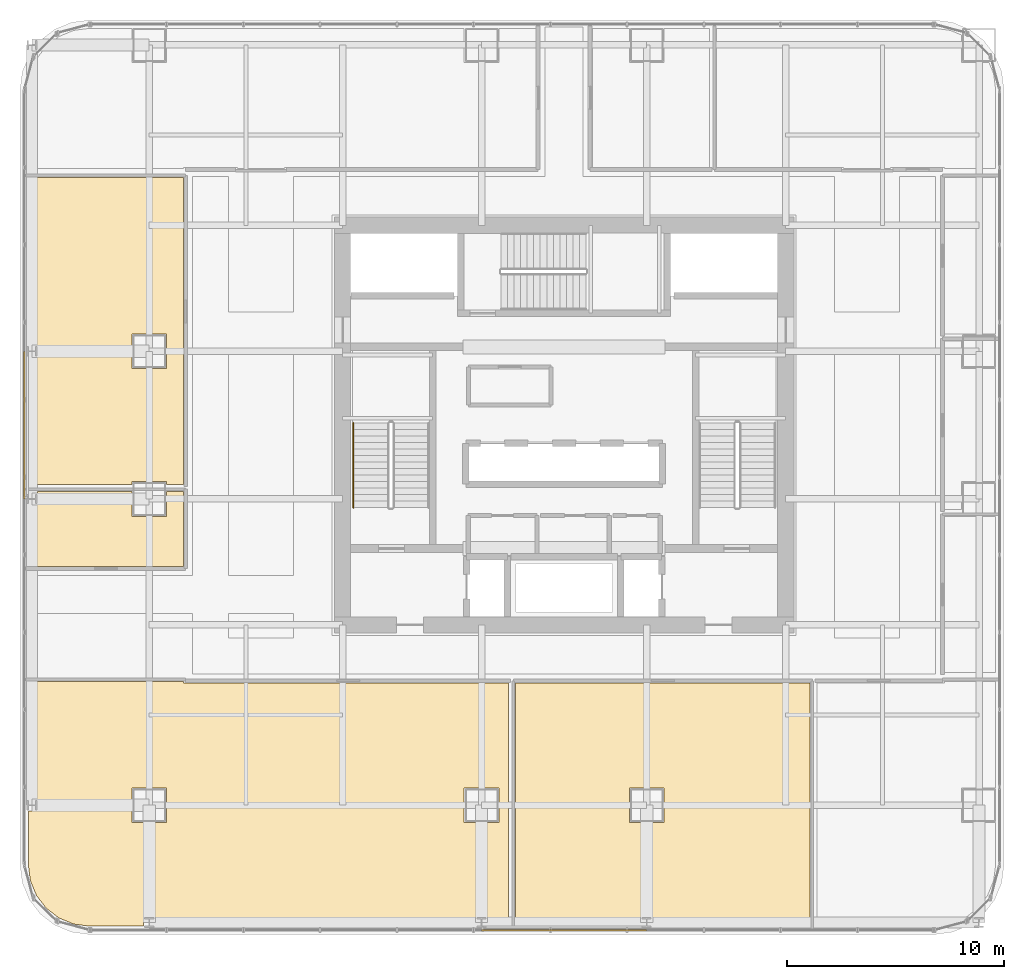
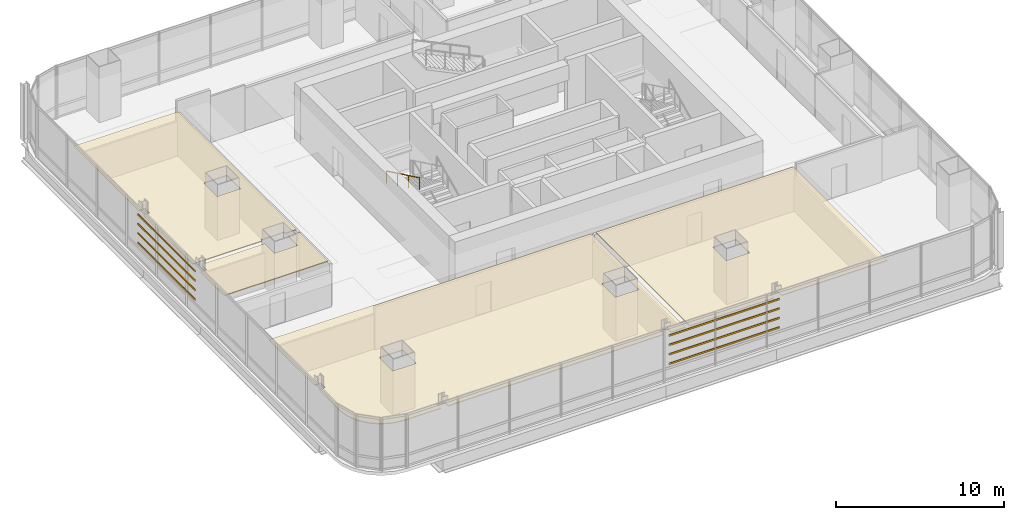
# One storey, part 32 of 36: 8 shading devices, 4 coverings, 1 railing.
"""IFC4 building model written with IfcOpenShell, lengths in metres."""

from ifc_helpers import new_model, si_unit, direction, frame, origin, origin_2d, place, context, subcontext, project, spatial, polyline, hollow_rectangle, circle, outline, extrude, material, layer, layer_set, material_profile, profile_set, type_object, element, save


model = new_model("IFC4")

# Units and contexts
model_context = context("Model", 3, precision=1e-05, world=origin(), true_north=direction((0.0, 1.0)))
body_context = subcontext(model_context, "Body", "Model", "MODEL_VIEW")
ifc_project = project(units=[si_unit("LENGTHUNIT", "METRE"), si_unit("AREAUNIT", "SQUARE_METRE"), si_unit("VOLUMEUNIT", "CUBIC_METRE"), si_unit("PLANEANGLEUNIT", "RADIAN"), si_unit("MASSUNIT", "GRAM", prefix="KILO")], contexts=[model_context])

# Site, building, storey
site_placement = place(None, origin())
site = spatial("IfcSite", under=ifc_project, at=site_placement, CompositionType="ELEMENT")
building_placement = place(site_placement, origin())
building = spatial("IfcBuilding", under=site, at=building_placement, Name="Punatoya Terracotta Tower", CompositionType="ELEMENT")
storey_placement = place(building_placement, frame((0.0, 0.0, 36.300048828125)))
storey = spatial("IfcBuildingStorey", under=building, at=storey_placement, Name="L07", CompositionType="ELEMENT", Elevation=36.300048828125)

# Coverings
ifc_material_1 = material(Name="Acoustic Mineral Fibre Ceiling")
ifc_layer = layer(ifc_material_1, 0.06005859375)
ifc_layer_set = layer_set([ifc_layer], Name="Acoustic Mineral Fibre Ceiling")
covering_type = type_object("IfcCoveringType", Name="COV-CEIL-60", PredefinedType="CEILING", material=ifc_layer_set)
covering_1_placement = place(storey_placement, frame((0.0, 0.0, 3.199951171875)))
element("IfcCovering", 1, at=covering_1_placement, inside=storey, type_object=covering_type, Name="L07 Open Workplace Studio Acoustic Ceiling", PredefinedType="CEILING", context=body_context, shape_type="SweptSolid", body=[
    extrude(outline(polyline([(3.5419921875, -22.626953125), (4.05810546875, -22.626953125), (4.05810546875, -23.070068359375), (11.330078125, -23.070068359375), (11.330078125, -11.8701171875), (-2.239990234375, -11.8701171875), (-2.239990234375, -23.070068359375), (3.5419921875, -23.070068359375), (3.5419921875, -22.626953125)]), holes=[polyline([(4.60009765625, -16.699951171875), (4.60009765625, -18.300048828125), (3.0, -18.300048828125), (3.0, -16.699951171875), (4.60009765625, -16.699951171875)])]), origin(), (0.0, 0.0, 1.0), 0.06005859375),
])
covering_2_placement = place(storey_placement, frame((0.0, 0.0, 3.199951171875)))
element("IfcCovering", 2, at=covering_2_placement, inside=storey, type_object=covering_type, Name="L07 Analytical Practice Office Acoustic Ceiling", PredefinedType="CEILING", context=body_context, shape_type="SweptSolid", body=[
    extrude(outline(polyline([(-18.842041015625, -23.070068359375), (-4.05810546875, -23.070068359375), (-4.05810546875, -22.626953125), (-3.5419921875, -22.626953125), (-3.5419921875, -23.070068359375), (-2.56005859375, -23.070068359375), (-2.56005859375, -11.8701171875), (-17.52001953125, -11.8701171875), (-17.52001953125, -11.81005859375), (-24.669921875, -11.81005859375), (-24.669921875, -17.22705078125), (-24.241943359375, -17.22705078125), (-24.241943359375, -17.77294921875), (-24.669921875, -17.77294921875), (-24.669921875, -20.22509765625), (-24.57080078125, -20.97900390625), (-24.289306640625, -21.658203125), (-23.841796875, -22.24169921875), (-23.25830078125, -22.689453125), (-22.5791015625, -22.970703125), (-21.8251953125, -23.070068359375), (-19.35791015625, -23.070068359375), (-19.35791015625, -22.626953125), (-18.842041015625, -22.626953125), (-18.842041015625, -23.070068359375)]), holes=[polyline([(-4.60009765625, -16.699951171875), (-3.0, -16.699951171875), (-3.0, -18.300048828125), (-4.60009765625, -18.300048828125), (-4.60009765625, -16.699951171875)]), polyline([(-19.89990234375, -18.300048828125), (-19.89990234375, -16.699951171875), (-18.300048828125, -16.699951171875), (-18.300048828125, -18.300048828125), (-19.89990234375, -18.300048828125)])]), origin(), (0.0, 0.0, 1.0), 0.06005859375),
])
covering_3_placement = place(storey_placement, frame((0.0, 0.0, 3.199951171875)))
element("IfcCovering", 3, at=covering_3_placement, inside=storey, type_object=covering_type, Name="L07 Open-Plan Digital Reference Library Acoustic Ceiling", PredefinedType="CEILING", context=body_context, shape_type="SweptSolid", body=[
    extrude(outline(polyline([(-24.241943359375, -3.048095703125), (-24.241943359375, -3.673095703125), (-24.669921875, -3.673095703125), (-24.669921875, -6.5), (-17.52001953125, -6.5), (-17.52001953125, -3.048095703125), (-18.300048828125, -3.048095703125), (-18.300048828125, -4.199951171875), (-19.89990234375, -4.199951171875), (-19.89990234375, -3.048095703125), (-24.241943359375, -3.048095703125)])), origin(), (0.0, 0.0, 1.0), 0.06005859375),
])
covering_4_placement = place(storey_placement, frame((0.0, 0.0, 3.199951171875)))
element("IfcCovering", 4, at=covering_4_placement, inside=storey, type_object=covering_type, Name="L07 Open-Plan Wellness Quiet Room Acoustic Ceiling", PredefinedType="CEILING", context=body_context, shape_type="SweptSolid", body=[
    extrude(outline(polyline([(-17.52001953125, -2.72802734375), (-17.52001953125, 11.389892578125), (-24.669921875, 11.389892578125), (-24.669921875, 3.673095703125), (-24.241943359375, 3.673095703125), (-24.241943359375, 3.126953125), (-24.669921875, 3.126953125), (-24.669921875, -2.72802734375), (-19.89990234375, -2.72802734375), (-19.89990234375, -2.60009765625), (-18.300048828125, -2.60009765625), (-18.300048828125, -2.72802734375), (-17.52001953125, -2.72802734375)]), holes=[polyline([(-18.300048828125, 4.199951171875), (-18.300048828125, 2.60009765625), (-19.89990234375, 2.60009765625), (-19.89990234375, 4.199951171875), (-18.300048828125, 4.199951171875)])]), origin(), (0.0, 0.0, 1.0), 0.06005859375),
])

# Railing
ifc_material_2 = material(Name="Steel S355", Category="steel")
railing_type = type_object("IfcRailingType", Name="RLG-HND-900", PredefinedType="HANDRAIL", material=ifc_material_2)
railing_placement = place(storey_placement, frame((-9.699951171875, 0.10009765625, 2.169677734375)))
element("IfcRailing", 5, at=railing_placement, inside=storey, type_object=railing_type, Name="L07 ST-1 stair handrail 2", PredefinedType="HANDRAIL", context=body_context, shape_type="SweptSolid", body=[
    extrude(circle(Radius=0.02392578125, at=origin_2d()), frame((0.0, 0.0, 0.8759765625), z_axis=(0.0, -0.900773802044, 0.434288564841), x_axis=(1.0, 0.0, 0.0)), (0.0, 0.0, 1.0), 4.329833984375),
    extrude(circle(Radius=0.02099609375, at=origin_2d()), origin(), (0.0, 0.0, 1.0), 0.851806640625),
    extrude(circle(Radius=0.02099609375, at=origin_2d()), frame((0.0, -1.300048828125, 0.626708984375)), (0.0, 0.0, 1.0), 0.851806640625),
    extrude(circle(Radius=0.02099609375, at=origin_2d()), frame((0.0, -2.60009765625, 1.253662109375)), (0.0, 0.0, 1.0), 0.851806640625),
    extrude(circle(Radius=0.02099609375, at=origin_2d()), frame((0.0, -3.900146484375, 1.88037109375)), (0.0, 0.0, 1.0), 0.851806640625),
])

# Shading devices
ifc_material_3 = material(Name="Architectural Fired Terracotta", Category="masonry")
ifc_material_profile = material_profile(ifc_material_3, hollow_rectangle(XDim=0.06494140625, YDim=0.1201171875, WallThickness=0.014892578125, at=origin_2d()))
ifc_profile_set = profile_set([ifc_material_profile], Name="Architectural Fired Terracotta")
shading_device_type = type_object("IfcShadingDeviceType", Name="SHD-BAG-120", PredefinedType="USERDEFINED", material=ifc_profile_set)
for number, where, z_axis, x_axis, name in (
    (6, (-3.800048828125, -23.262939453125, 1.14990234375), (1.0, 0.0, 0.0), (0.0, 1.0, 0.0), "L07 Fired Terracotta Baguette Louvre BAG-L07-S-01"),
    (7, (-3.800048828125, -23.262939453125, 1.836669921875), (1.0, 0.0, 0.0), (0.0, 1.0, 0.0), "L07 Fired Terracotta Baguette Louvre BAG-L07-S-02"),
    (8, (-3.800048828125, -23.262939453125, 2.523193359375), (1.0, 0.0, 0.0), (0.0, 1.0, 0.0), "L07 Fired Terracotta Baguette Louvre BAG-L07-S-03"),
    (9, (-3.800048828125, -23.262939453125, 3.2099609375), (1.0, 0.0, 0.0), (0.0, 1.0, 0.0), "L07 Fired Terracotta Baguette Louvre BAG-L07-S-04"),
):
    element("IfcShadingDevice", number, at=place(storey_placement, frame(where, z_axis=z_axis, x_axis=x_axis)), inside=storey, type_object=shading_device_type, Name=name, ObjectType="BAGUETTE", PredefinedType="USERDEFINED", context=body_context, shape_type="SweptSolid", body=[
        extrude(hollow_rectangle(XDim=0.06494140625, YDim=0.1201171875, WallThickness=0.014892578125, at=origin_2d()), origin(), (0.0, 0.0, 1.0), 7.60009765625),
    ])
for number, where, z_axis, x_axis, name in (
    (10, (-24.863037109375, -3.39990234375, 1.14990234375), (0.0, 1.0, 0.0), (-1.0, 0.0, 0.0), "L07 Fired Terracotta Baguette Louvre BAG-L07-W-01"),
    (11, (-24.863037109375, -3.39990234375, 1.836669921875), (0.0, 1.0, 0.0), (-1.0, 0.0, 0.0), "L07 Fired Terracotta Baguette Louvre BAG-L07-W-02"),
    (12, (-24.863037109375, -3.39990234375, 2.523193359375), (0.0, 1.0, 0.0), (-1.0, 0.0, 0.0), "L07 Fired Terracotta Baguette Louvre BAG-L07-W-03"),
    (13, (-24.863037109375, -3.39990234375, 3.2099609375), (0.0, 1.0, 0.0), (-1.0, 0.0, 0.0), "L07 Fired Terracotta Baguette Louvre BAG-L07-W-04"),
):
    element("IfcShadingDevice", number, at=place(storey_placement, frame(where, z_axis=z_axis, x_axis=x_axis)), inside=storey, type_object=shading_device_type, Name=name, ObjectType="BAGUETTE", PredefinedType="USERDEFINED", context=body_context, shape_type="SweptSolid", body=[
        extrude(hollow_rectangle(XDim=0.06494140625, YDim=0.1201171875, WallThickness=0.014892578125, at=origin_2d()), origin(), (0.0, 0.0, 1.0), 6.7998046875),
    ])

save(model, "model.ifc")
